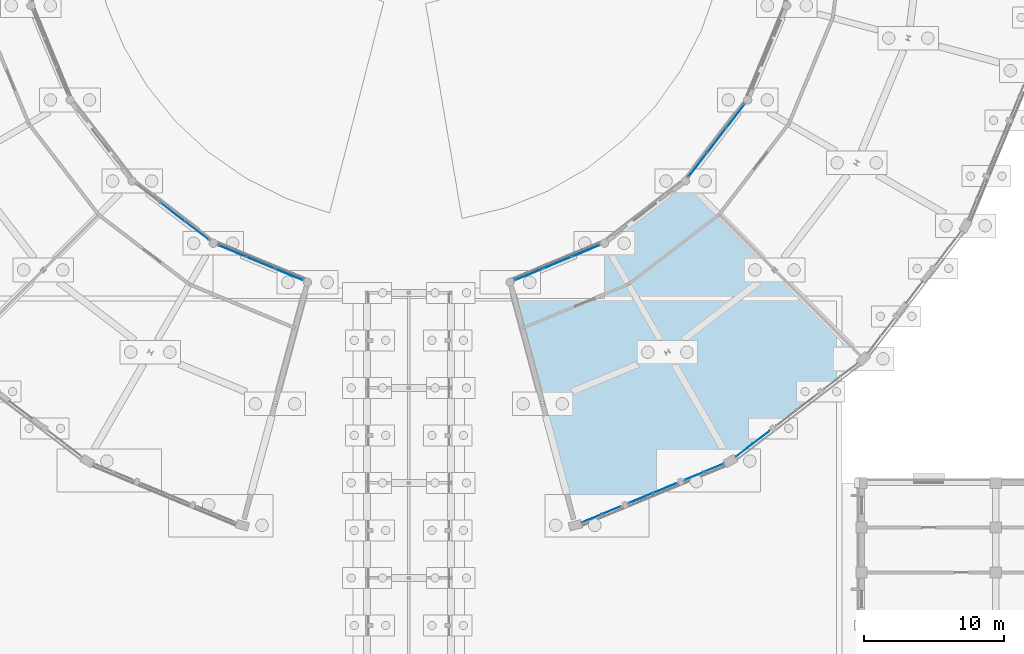
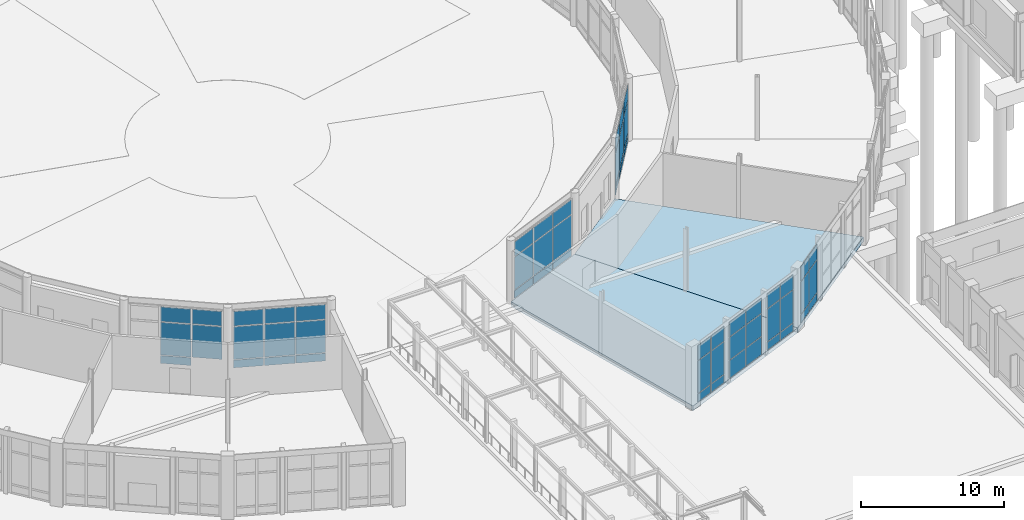
# One storey, part 87 of 137: 56 plates, 2 slabs, 8 elements without a shape of their own.
"""IFC4 building model written with IfcOpenShell, lengths in metres."""

import ifcopenshell
import ifcopenshell.guid

model = None  # the IFC model being written
_history = None  # IfcOwnerHistory: only IFC2X3 demands one
_inside = {}  # id of a spatial element -> (the spatial element, [elements in it])
_under = {}  # id of a project, library or spatial element -> (it, [spatial elements below it])
_declared = {}  # id of a project -> (the project, [libraries it declares])
_typed = {}  # id of a type object -> (the type object, [elements of that type])
_made_of = {}  # id of a material, layer set ... -> (it, [elements and type objects made of it])


def new_model(schema):
    """Start an empty IFC model of exactly this schema.

    Asked for "IFC4X3", IfcOpenShell would pick the latest addendum, in which some entities
    have other attributes; the version numbers below select the first issue.
    IFC2X3 requires an IfcOwnerHistory on every rooted entity: one is made here for all.
    """
    global model, _history
    if schema == "IFC4X3":
        model = ifcopenshell.file(schema_version=(4, 3, 0, 0))
    else:
        model = ifcopenshell.file(schema=schema)
    _inside.clear()
    _under.clear()
    _declared.clear()
    _typed.clear()
    _made_of.clear()
    _history = None
    if model.schema == "IFC2X3":
        org = make("IfcOrganization", Name="unknown")
        user = make(
            "IfcPersonAndOrganization",
            ThePerson=make("IfcPerson", FamilyName="unknown"),
            TheOrganization=org,
        )
        app = make(
            "IfcApplication",
            ApplicationDeveloper=org,
            Version="unknown",
            ApplicationFullName="unknown",
            ApplicationIdentifier="unknown",
        )
        _history = make(
            "IfcOwnerHistory",
            OwningUser=user,
            OwningApplication=app,
            ChangeAction="ADDED",
            CreationDate=0,
        )
    return model


def make(cls, **values):
    """One entity of the class cls with the attributes given. An attribute that is None is left unset."""
    return model.create_entity(
        cls, **{name: value for name, value in values.items() if value is not None}
    )


def rooted(cls, **values):
    """An entity with a GlobalId (a new one), such as an element, a storey or a relation."""
    return make(cls, GlobalId=ifcopenshell.guid.new(), OwnerHistory=_history, **values)


def si_unit(unit_type, name, prefix=None):
    """IfcSIUnit, for example si_unit("LENGTHUNIT", "METRE", prefix="MILLI")."""
    return make("IfcSIUnit", UnitType=unit_type, Prefix=prefix, Name=name)


def assignment(units):
    """IfcUnitAssignment: the units of a project."""
    return None if units is None else make("IfcUnitAssignment", Units=units)


def point(xyz):
    """IfcCartesianPoint."""
    return None if xyz is None else make("IfcCartesianPoint", Coordinates=xyz)


def direction(xyz):
    """IfcDirection."""
    return None if xyz is None else make("IfcDirection", DirectionRatios=xyz)


def frame(location, z_axis=None, x_axis=None):
    """IfcAxis2Placement3D, a coordinate frame: its origin and axes. An axis left out is left unset."""
    return make(
        "IfcAxis2Placement3D",
        Location=point(location),
        Axis=direction(z_axis),
        RefDirection=direction(x_axis),
    )


def frame_2d(location, x_axis=None):
    """IfcAxis2Placement2D, a coordinate frame in the plane: its origin and x axis."""
    return make(
        "IfcAxis2Placement2D", Location=point(location), RefDirection=direction(x_axis)
    )


def origin():
    """The frame at (0, 0, 0) with its axes left unset."""
    return frame((0.0, 0.0, 0.0))


def origin_2d():
    """The frame at (0, 0) in the plane with its x axis left unset."""
    return frame_2d((0.0, 0.0))


def place(relative_to, where):
    """IfcLocalPlacement: puts the frame where relative to a parent placement (None: the world)."""
    return make(
        "IfcLocalPlacement", PlacementRelTo=relative_to, RelativePlacement=where
    )


def context(
    kind, dimensions, precision=None, world=None, true_north=None, identifier=None
):
    """IfcGeometricRepresentationContext, for example the 3D "Model" context."""
    return make(
        "IfcGeometricRepresentationContext",
        ContextIdentifier=identifier,
        ContextType=kind,
        CoordinateSpaceDimension=dimensions,
        Precision=precision,
        WorldCoordinateSystem=world,
        TrueNorth=true_north,
    )


def subcontext(parent, identifier, kind, view, scale=None):
    """IfcGeometricRepresentationSubContext, for example "Body" below "Model"."""
    return make(
        "IfcGeometricRepresentationSubContext",
        ContextIdentifier=identifier,
        ContextType=kind,
        ParentContext=parent,
        TargetScale=scale,
        TargetView=view,
    )


def project(units=None, contexts=None):
    """IfcProject with its units and contexts."""
    return rooted(
        "IfcProject",
        Name="project",
        RepresentationContexts=contexts,
        UnitsInContext=assignment(units),
    )


def spatial(cls, under=None, at=None, **own):
    """A site, building, storey or space (cls), placed at a placement, below another one or the project."""
    s = rooted(cls, ObjectPlacement=at, **own)
    if under is not None:
        _under.setdefault(under.id(), (under, []))[1].append(s)
    return s


def polyline(points):
    """IfcPolyline through the points."""
    return make("IfcPolyline", Points=[point(p) for p in points])


def profile(cls, at=None, kind="AREA", **sizes):
    """A parametric profile (cls). Its sizes go by their IFC names, for example OverallWidth=200.0."""
    return make(cls, ProfileType=kind, Position=at, **sizes)


def rectangle(**sizes):
    """IfcRectangleProfileDef."""
    return profile("IfcRectangleProfileDef", **sizes)


def outline(outer, holes=None, kind="AREA"):
    """IfcArbitraryClosedProfileDef: a profile drawn as a closed curve; with holes, ...WithVoids."""
    if holes is None:
        return make("IfcArbitraryClosedProfileDef", ProfileType=kind, OuterCurve=outer)
    return make(
        "IfcArbitraryProfileDefWithVoids",
        ProfileType=kind,
        OuterCurve=outer,
        InnerCurves=holes,
    )


def extrude(swept, where, along, depth):
    """IfcExtrudedAreaSolid: the profile swept, set in the frame where, extruded along a direction by depth."""
    return make(
        "IfcExtrudedAreaSolid",
        SweptArea=swept,
        Position=where,
        ExtrudedDirection=direction(along),
        Depth=depth,
    )


def shape(context_of_items, identifier, shape_type, items):
    """IfcShapeRepresentation: the items that make up one representation, for example the "Body"."""
    return make(
        "IfcShapeRepresentation",
        ContextOfItems=context_of_items,
        RepresentationIdentifier=identifier,
        RepresentationType=shape_type,
        Items=items,
    )


def material(Name=None, Category=None):
    """IfcMaterial."""
    return make("IfcMaterial", Name=Name, Category=Category)


def layer(
    of_material, thickness, ventilated=None, Name=None, Category=None, Priority=None
):
    """IfcMaterialLayer: one layer of a wall or slab, of a material (None: an air gap)."""
    return make(
        "IfcMaterialLayer",
        Material=of_material,
        LayerThickness=thickness,
        IsVentilated=ventilated,
        Name=Name,
        Category=Category,
        Priority=Priority,
    )


def layer_set(layers, Name=None):
    """IfcMaterialLayerSet."""
    return make("IfcMaterialLayerSet", MaterialLayers=layers, LayerSetName=Name)


def made_of(thing, what):
    """Note that an element or type object is made of a material, layer set ...; save() writes the relation."""
    if what is not None:
        _made_of.setdefault(what.id(), (what, []))[1].append(thing)
    return thing


def type_object(cls, material=None, **own):
    """A type object (cls), such as IfcWallType, which elements share."""
    return made_of(rooted(cls, **own), material)


def element(
    cls,
    number,
    at=None,
    inside=None,
    cuts=None,
    type_object=None,
    material=None,
    context=None,
    identifier="Body",
    shape_type=None,
    held_by="IfcProductDefinitionShape",
    body=None,
    shapes=None,
    **own,
):
    """One element of the class cls, such as IfcWall. Its Tag is "e" and its number.

    at: its placement. inside: the storey or other place that contains it. cuts: it is an
    opening in that element (IfcRelVoidsElement). A single representation is given by context,
    identifier, shape_type and body (its items); several are given by shapes. held_by: the class
    of the entity that holds the representations. save() writes the other relations.
    """
    e = rooted(cls, Tag="e%d" % number, ObjectPlacement=at, **own)
    if body is not None:
        shapes = [shape(context, identifier, shape_type, body)]
    if shapes is not None:
        e.Representation = make(held_by, Representations=shapes)
    if inside is not None:
        _inside.setdefault(inside.id(), (inside, []))[1].append(e)
    if cuts is not None:
        rooted(
            "IfcRelVoidsElement", RelatingBuildingElement=cuts, RelatedOpeningElement=e
        )
    if type_object is not None:
        _typed.setdefault(type_object.id(), (type_object, []))[1].append(e)
    return made_of(e, material)


def aggregate(whole, parts):
    """IfcRelAggregates: a whole, such as a stair, and the parts it consists of."""
    return rooted("IfcRelAggregates", RelatingObject=whole, RelatedObjects=parts)


def save(model, path):
    """Write the relations noted so far, then the file.

    IfcRelAggregates (storeys below a building ...), IfcRelContainedInSpatialStructure (elements
    in a storey), IfcRelDefinesByType, IfcRelAssociatesMaterial and IfcRelDeclares: one each for
    every whole, place, type object, material and project.
    """
    for whole, parts in _under.values():
        aggregate(whole, parts)
    for where, things in _inside.values():
        rooted(
            "IfcRelContainedInSpatialStructure",
            RelatedElements=things,
            RelatingStructure=where,
        )
    for kind, things in _typed.values():
        rooted("IfcRelDefinesByType", RelatedObjects=things, RelatingType=kind)
    for what, things in _made_of.values():
        rooted("IfcRelAssociatesMaterial", RelatedObjects=things, RelatingMaterial=what)
    for by, libraries in _declared.values():
        rooted("IfcRelDeclares", RelatingContext=by, RelatedDefinitions=libraries)
    model.write(path)


model = new_model("IFC4")

# Units and contexts
model_context = context("Model", 3, precision=1e-05, world=origin(), true_north=direction((0.0, 1.0)))
body_context = subcontext(model_context, "Body", "Model", "MODEL_VIEW")
ifc_project = project(units=[si_unit("LENGTHUNIT", "METRE"), si_unit("AREAUNIT", "SQUARE_METRE"), si_unit("VOLUMEUNIT", "CUBIC_METRE"), si_unit("PLANEANGLEUNIT", "RADIAN"), si_unit("MASSUNIT", "GRAM", prefix="KILO")], contexts=[model_context])

# Site, building, storey
site_placement = place(None, origin())
site = spatial("IfcSite", under=ifc_project, at=site_placement, CompositionType="ELEMENT")
building_placement = place(site_placement, origin())
building = spatial("IfcBuilding", under=site, at=building_placement, Name="Vondelvale Polytechnic", CompositionType="ELEMENT")
storey_placement = place(building_placement, origin())
storey = spatial("IfcBuildingStorey", under=building, at=storey_placement, Name="L00", CompositionType="ELEMENT", Elevation=0.0)

# Curtain wall, plates
ifc_material_1 = material(Name="Anodised extruded aluminium 6063-T6", Category="aluminium")
curtain_wall_type_1 = type_object("IfcCurtainWallType", Name="CW-RING-CLOISTER", PredefinedType="NOTDEFINED", material=ifc_material_1)
curtain_wall_1_placement = place(storey_placement, origin())
curtain_wall_1 = element("IfcCurtainWall", 1, at=curtain_wall_1_placement, inside=storey, type_object=curtain_wall_type_1, Name="L00 architectural curtain wall CW-03-314", PredefinedType="NOTDEFINED")
ifc_material_2 = material(Name="Double-glazed low-E insulated architectural glass", Category="glass")
ifc_layer_1 = layer(ifc_material_2, 0.028076171875)
ifc_layer_set_1 = layer_set([ifc_layer_1], Name="CW-PANEL-GLAZED")
plate_type_1 = type_object("IfcPlateType", Name="CW-PANEL-GLAZED", PredefinedType="CURTAIN_PANEL", material=ifc_layer_set_1)
plate_1_placement = place(storey_placement, frame((85.1005859375, 49.97607421875, 0.78271484375), z_axis=(0.0, 0.0, 1.0), x_axis=(0.793363861089, -0.608747717793, 0.0)))
plate_1 = element("IfcPlate", 2, at=plate_1_placement, type_object=plate_type_1, Name="CW-03-314 panel 2.2", PredefinedType="CURTAIN_PANEL", context=body_context, shape_type="SweptSolid", body=[
    extrude(rectangle(XDim=2.1474609375, YDim=0.028076171875, at=origin_2d()), origin(), (0.0, 0.0, 1.0), 2.784912109375),
])
plate_2_placement = place(storey_placement, frame((85.1005859375, 49.97607421875, 3.632568359375), z_axis=(0.0, 0.0, 1.0), x_axis=(0.793363861089, -0.608747717793, 0.0)))
plate_2 = element("IfcPlate", 3, at=plate_2_placement, type_object=plate_type_1, Name="CW-03-314 panel 2.3", PredefinedType="CURTAIN_PANEL", context=body_context, shape_type="SweptSolid", body=[
    extrude(rectangle(XDim=2.1474609375, YDim=0.028076171875, at=origin_2d()), origin(), (0.0, 0.0, 1.0), 1.25244140625),
])
plate_3_placement = place(storey_placement, frame((86.845703125, 48.636962890625, 0.78271484375), z_axis=(0.0, 0.0, 1.0), x_axis=(0.793363861089, -0.608747717793, 0.0)))
plate_3 = element("IfcPlate", 4, at=plate_3_placement, type_object=plate_type_1, Name="CW-03-314 panel 3.2", PredefinedType="CURTAIN_PANEL", context=body_context, shape_type="SweptSolid", body=[
    extrude(rectangle(XDim=2.1123046875, YDim=0.028076171875, at=origin_2d()), origin(), (0.0, 0.0, 1.0), 2.784912109375),
])
plate_4_placement = place(storey_placement, frame((86.845703125, 48.636962890625, 3.632568359375), z_axis=(0.0, 0.0, 1.0), x_axis=(0.793363861089, -0.608747717793, 0.0)))
plate_4 = element("IfcPlate", 5, at=plate_4_placement, type_object=plate_type_1, Name="CW-03-314 panel 3.3", PredefinedType="CURTAIN_PANEL", context=body_context, shape_type="SweptSolid", body=[
    extrude(rectangle(XDim=2.1123046875, YDim=0.028076171875, at=origin_2d()), origin(), (0.0, 0.0, 1.0), 1.25244140625),
])

curtain_wall_2_placement = place(storey_placement, origin())
curtain_wall_2 = element("IfcCurtainWall", 6, at=curtain_wall_2_placement, inside=storey, type_object=curtain_wall_type_1, Name="L00 architectural curtain wall CW-03-325", PredefinedType="NOTDEFINED")
plate_5_placement = place(storey_placement, frame((89.344970703125, 47.194091796875, 0.78271484375), z_axis=(0.0, 0.0, 1.0), x_axis=(0.923881562419, -0.382678531697, 0.0)))
plate_5 = element("IfcPlate", 7, at=plate_5_placement, type_object=plate_type_1, Name="CW-03-325 panel 1.2", PredefinedType="CURTAIN_PANEL", context=body_context, shape_type="SweptSolid", body=[
    extrude(rectangle(XDim=2.111572265625, YDim=0.028076171875, at=origin_2d()), origin(), (0.0, 0.0, 1.0), 2.784912109375),
])
plate_6_placement = place(storey_placement, frame((89.344970703125, 47.194091796875, 3.632568359375), z_axis=(0.0, 0.0, 1.0), x_axis=(0.923881562419, -0.382678531697, 0.0)))
plate_6 = element("IfcPlate", 8, at=plate_6_placement, type_object=plate_type_1, Name="CW-03-325 panel 1.3", PredefinedType="CURTAIN_PANEL", context=body_context, shape_type="SweptSolid", body=[
    extrude(rectangle(XDim=2.111572265625, YDim=0.028076171875, at=origin_2d()), origin(), (0.0, 0.0, 1.0), 1.25244140625),
])
plate_7_placement = place(storey_placement, frame((91.37646484375, 46.352783203125, 0.78271484375), z_axis=(0.0, 0.0, 1.0), x_axis=(0.923881562419, -0.382678531697, 0.0)))
plate_7 = element("IfcPlate", 9, at=plate_7_placement, type_object=plate_type_1, Name="CW-03-325 panel 2.2", PredefinedType="CURTAIN_PANEL", context=body_context, shape_type="SweptSolid", body=[
    extrude(rectangle(XDim=2.146484375, YDim=0.028076171875, at=origin_2d()), origin(), (0.0, 0.0, 1.0), 2.784912109375),
])
plate_8_placement = place(storey_placement, frame((91.37646484375, 46.352783203125, 3.632568359375), z_axis=(0.0, 0.0, 1.0), x_axis=(0.923881562419, -0.382678531697, 0.0)))
plate_8 = element("IfcPlate", 10, at=plate_8_placement, type_object=plate_type_1, Name="CW-03-325 panel 2.3", PredefinedType="CURTAIN_PANEL", context=body_context, shape_type="SweptSolid", body=[
    extrude(rectangle(XDim=2.146484375, YDim=0.028076171875, at=origin_2d()), origin(), (0.0, 0.0, 1.0), 1.25244140625),
])
plate_9_placement = place(storey_placement, frame((93.408203125, 45.51123046875, 0.78271484375), z_axis=(0.0, 0.0, 1.0), x_axis=(0.923881562419, -0.382678531697, 0.0)))
plate_9 = element("IfcPlate", 11, at=plate_9_placement, type_object=plate_type_1, Name="CW-03-325 panel 3.2", PredefinedType="CURTAIN_PANEL", context=body_context, shape_type="SweptSolid", body=[
    extrude(rectangle(XDim=2.111572265625, YDim=0.028076171875, at=origin_2d()), origin(), (0.0, 0.0, 1.0), 2.784912109375),
])
plate_10_placement = place(storey_placement, frame((93.408203125, 45.51123046875, 3.632568359375), z_axis=(0.0, 0.0, 1.0), x_axis=(0.923881562419, -0.382678531697, 0.0)))
plate_10 = element("IfcPlate", 12, at=plate_10_placement, type_object=plate_type_1, Name="CW-03-325 panel 3.3", PredefinedType="CURTAIN_PANEL", context=body_context, shape_type="SweptSolid", body=[
    extrude(rectangle(XDim=2.111572265625, YDim=0.028076171875, at=origin_2d()), origin(), (0.0, 0.0, 1.0), 1.25244140625),
])

curtain_wall_3_placement = place(storey_placement, origin())
curtain_wall_3 = element("IfcCurtainWall", 13, at=curtain_wall_3_placement, inside=storey, type_object=curtain_wall_type_1, Name="L00 architectural curtain wall CW-03-333", PredefinedType="NOTDEFINED")
plate_11_placement = place(storey_placement, frame((110.591796875, 45.51123046875, 0.78271484375), z_axis=(0.0, 0.0, 1.0), x_axis=(0.923881562419, 0.382678531697, 0.0)))
plate_11 = element("IfcPlate", 14, at=plate_11_placement, type_object=plate_type_1, Name="CW-03-333 panel 1.2", PredefinedType="CURTAIN_PANEL", context=body_context, shape_type="SweptSolid", body=[
    extrude(rectangle(XDim=2.111572265625, YDim=0.028076171875, at=origin_2d()), origin(), (0.0, 0.0, 1.0), 2.784912109375),
])
plate_12_placement = place(storey_placement, frame((110.591796875, 45.51123046875, 3.632568359375), z_axis=(0.0, 0.0, 1.0), x_axis=(0.923881562419, 0.382678531697, 0.0)))
plate_12 = element("IfcPlate", 15, at=plate_12_placement, type_object=plate_type_1, Name="CW-03-333 panel 1.3", PredefinedType="CURTAIN_PANEL", context=body_context, shape_type="SweptSolid", body=[
    extrude(rectangle(XDim=2.111572265625, YDim=0.028076171875, at=origin_2d()), origin(), (0.0, 0.0, 1.0), 1.25244140625),
])
plate_13_placement = place(storey_placement, frame((112.62353515625, 46.352783203125, 0.78271484375), z_axis=(0.0, 0.0, 1.0), x_axis=(0.923881562419, 0.382678531697, 0.0)))
plate_13 = element("IfcPlate", 16, at=plate_13_placement, type_object=plate_type_1, Name="CW-03-333 panel 2.2", PredefinedType="CURTAIN_PANEL", context=body_context, shape_type="SweptSolid", body=[
    extrude(rectangle(XDim=2.146484375, YDim=0.028076171875, at=origin_2d()), origin(), (0.0, 0.0, 1.0), 2.784912109375),
])
plate_14_placement = place(storey_placement, frame((112.62353515625, 46.352783203125, 3.632568359375), z_axis=(0.0, 0.0, 1.0), x_axis=(0.923881562419, 0.382678531697, 0.0)))
plate_14 = element("IfcPlate", 17, at=plate_14_placement, type_object=plate_type_1, Name="CW-03-333 panel 2.3", PredefinedType="CURTAIN_PANEL", context=body_context, shape_type="SweptSolid", body=[
    extrude(rectangle(XDim=2.146484375, YDim=0.028076171875, at=origin_2d()), origin(), (0.0, 0.0, 1.0), 1.25244140625),
])
plate_15_placement = place(storey_placement, frame((114.655029296875, 47.194091796875, 0.78271484375), z_axis=(0.0, 0.0, 1.0), x_axis=(0.923881562419, 0.382678531697, 0.0)))
plate_15 = element("IfcPlate", 18, at=plate_15_placement, type_object=plate_type_1, Name="CW-03-333 panel 3.2", PredefinedType="CURTAIN_PANEL", context=body_context, shape_type="SweptSolid", body=[
    extrude(rectangle(XDim=2.111572265625, YDim=0.028076171875, at=origin_2d()), origin(), (0.0, 0.0, 1.0), 2.784912109375),
])
plate_16_placement = place(storey_placement, frame((114.655029296875, 47.194091796875, 3.632568359375), z_axis=(0.0, 0.0, 1.0), x_axis=(0.923881562419, 0.382678531697, 0.0)))
plate_16 = element("IfcPlate", 19, at=plate_16_placement, type_object=plate_type_1, Name="CW-03-333 panel 3.3", PredefinedType="CURTAIN_PANEL", context=body_context, shape_type="SweptSolid", body=[
    extrude(rectangle(XDim=2.111572265625, YDim=0.028076171875, at=origin_2d()), origin(), (0.0, 0.0, 1.0), 1.25244140625),
])

ifc_material_3 = material(Name="Glulam GL18 structural Tasmanian oak (fb = 42 MPa)", Category="wood")
curtain_wall_type_2 = type_object("IfcCurtainWallType", Name="CW-RING-OUTER", PredefinedType="NOTDEFINED", material=ifc_material_3)
curtain_wall_4_placement = place(storey_placement, origin())
curtain_wall_4 = element("IfcCurtainWall", 20, at=curtain_wall_4_placement, inside=storey, type_object=curtain_wall_type_2, Name="L00 architectural curtain wall CW-04-334", PredefinedType="NOTDEFINED")
plate_17_placement = place(storey_placement, frame((115.084716796875, 28.0556640625, 0.77978515625), z_axis=(0.0, 0.0, 1.0), x_axis=(0.92388135159, 0.382679040691, 0.0)))
plate_17 = element("IfcPlate", 21, at=plate_17_placement, type_object=plate_type_1, Name="CW-04-334 panel 1.2", PredefinedType="CURTAIN_PANEL", context=body_context, shape_type="SweptSolid", body=[
    extrude(rectangle(XDim=1.454345703125, YDim=0.028076171875, at=origin_2d()), origin(), (0.0, 0.0, 1.0), 2.760009765625),
])
plate_18_placement = place(storey_placement, frame((115.084716796875, 28.0556640625, 3.60009765625), z_axis=(0.0, 0.0, 1.0), x_axis=(0.92388135159, 0.382679040691, 0.0)))
plate_18 = element("IfcPlate", 22, at=plate_18_placement, type_object=plate_type_1, Name="CW-04-334 panel 1.3", PredefinedType="CURTAIN_PANEL", context=body_context, shape_type="SweptSolid", body=[
    extrude(rectangle(XDim=1.454345703125, YDim=0.028076171875, at=origin_2d()), origin(), (0.0, 0.0, 1.0), 1.260009765625),
])
plate_19_placement = place(storey_placement, frame((116.488525390625, 28.63720703125, 0.77978515625), z_axis=(0.0, 0.0, 1.0), x_axis=(0.92388135159, 0.382679040691, 0.0)))
plate_19 = element("IfcPlate", 23, at=plate_19_placement, type_object=plate_type_1, Name="CW-04-334 panel 2.2", PredefinedType="CURTAIN_PANEL", context=body_context, shape_type="SweptSolid", body=[
    extrude(rectangle(XDim=1.454345703125, YDim=0.028076171875, at=origin_2d()), origin(), (0.0, 0.0, 1.0), 2.760009765625),
])
plate_20_placement = place(storey_placement, frame((116.488525390625, 28.63720703125, 3.60009765625), z_axis=(0.0, 0.0, 1.0), x_axis=(0.92388135159, 0.382679040691, 0.0)))
plate_20 = element("IfcPlate", 24, at=plate_20_placement, type_object=plate_type_1, Name="CW-04-334 panel 2.3", PredefinedType="CURTAIN_PANEL", context=body_context, shape_type="SweptSolid", body=[
    extrude(rectangle(XDim=1.454345703125, YDim=0.028076171875, at=origin_2d()), origin(), (0.0, 0.0, 1.0), 1.260009765625),
])

curtain_wall_5_placement = place(storey_placement, origin())
curtain_wall_5 = element("IfcCurtainWall", 25, at=curtain_wall_5_placement, inside=storey, type_object=curtain_wall_type_2, Name="L00 architectural curtain wall CW-04-335", PredefinedType="NOTDEFINED")
plate_21_placement = place(storey_placement, frame((118.587158203125, 29.506591796875, 1.6298828125), z_axis=(0.0, 0.0, 1.0), x_axis=(0.92387490701, 0.382694599123, 0.0)))
plate_21 = element("IfcPlate", 26, at=plate_21_placement, type_object=plate_type_1, Name="CW-04-335 panel 1.2", PredefinedType="CURTAIN_PANEL", context=body_context, shape_type="SweptSolid", body=[
    extrude(rectangle(XDim=1.80908203125, YDim=0.028076171875, at=origin_2d()), origin(), (0.0, 0.0, 1.0), 1.909912109375),
])
plate_22_placement = place(storey_placement, frame((118.587158203125, 29.506591796875, 3.60009765625), z_axis=(0.0, 0.0, 1.0), x_axis=(0.92387490701, 0.382694599123, 0.0)))
plate_22 = element("IfcPlate", 27, at=plate_22_placement, type_object=plate_type_1, Name="CW-04-335 panel 1.3", PredefinedType="CURTAIN_PANEL", context=body_context, shape_type="SweptSolid", body=[
    extrude(rectangle(XDim=1.80908203125, YDim=0.028076171875, at=origin_2d()), origin(), (0.0, 0.0, 1.0), 1.260009765625),
])
plate_23_placement = place(storey_placement, frame((120.318603515625, 30.2236328125, 1.6298828125), z_axis=(0.0, 0.0, 1.0), x_axis=(0.92387490701, 0.382694599123, 0.0)))
plate_23 = element("IfcPlate", 28, at=plate_23_placement, type_object=plate_type_1, Name="CW-04-335 panel 2.2", PredefinedType="CURTAIN_PANEL", context=body_context, shape_type="SweptSolid", body=[
    extrude(rectangle(XDim=1.80908203125, YDim=0.028076171875, at=origin_2d()), origin(), (0.0, 0.0, 1.0), 1.909912109375),
])
plate_24_placement = place(storey_placement, frame((120.318603515625, 30.2236328125, 3.60009765625), z_axis=(0.0, 0.0, 1.0), x_axis=(0.92387490701, 0.382694599123, 0.0)))
plate_24 = element("IfcPlate", 29, at=plate_24_placement, type_object=plate_type_1, Name="CW-04-335 panel 2.3", PredefinedType="CURTAIN_PANEL", context=body_context, shape_type="SweptSolid", body=[
    extrude(rectangle(XDim=1.80908203125, YDim=0.028076171875, at=origin_2d()), origin(), (0.0, 0.0, 1.0), 1.260009765625),
])

curtain_wall_6_placement = place(storey_placement, origin())
curtain_wall_6 = element("IfcCurtainWall", 30, at=curtain_wall_6_placement, inside=storey, type_object=curtain_wall_type_2, Name="L00 architectural curtain wall CW-04-336", PredefinedType="NOTDEFINED")
plate_25_placement = place(storey_placement, frame((122.417236328125, 31.093017578125, 0.77978515625), z_axis=(0.0, 0.0, 1.0), x_axis=(0.92388135159, 0.382679040691, 0.0)))
plate_25 = element("IfcPlate", 31, at=plate_25_placement, type_object=plate_type_1, Name="CW-04-336 panel 1.2", PredefinedType="CURTAIN_PANEL", context=body_context, shape_type="SweptSolid", body=[
    extrude(rectangle(XDim=1.454345703125, YDim=0.028076171875, at=origin_2d()), origin(), (0.0, 0.0, 1.0), 2.760009765625),
])
plate_26_placement = place(storey_placement, frame((122.417236328125, 31.093017578125, 3.60009765625), z_axis=(0.0, 0.0, 1.0), x_axis=(0.92388135159, 0.382679040691, 0.0)))
plate_26 = element("IfcPlate", 32, at=plate_26_placement, type_object=plate_type_1, Name="CW-04-336 panel 1.3", PredefinedType="CURTAIN_PANEL", context=body_context, shape_type="SweptSolid", body=[
    extrude(rectangle(XDim=1.454345703125, YDim=0.028076171875, at=origin_2d()), origin(), (0.0, 0.0, 1.0), 1.260009765625),
])
plate_27_placement = place(storey_placement, frame((123.821044921875, 31.674560546875, 0.77978515625), z_axis=(0.0, 0.0, 1.0), x_axis=(0.92388135159, 0.382679040691, 0.0)))
plate_27 = element("IfcPlate", 33, at=plate_27_placement, type_object=plate_type_1, Name="CW-04-336 panel 2.2", PredefinedType="CURTAIN_PANEL", context=body_context, shape_type="SweptSolid", body=[
    extrude(rectangle(XDim=1.454345703125, YDim=0.028076171875, at=origin_2d()), origin(), (0.0, 0.0, 1.0), 2.760009765625),
])
plate_28_placement = place(storey_placement, frame((123.821044921875, 31.674560546875, 3.60009765625), z_axis=(0.0, 0.0, 1.0), x_axis=(0.92388135159, 0.382679040691, 0.0)))
plate_28 = element("IfcPlate", 34, at=plate_28_placement, type_object=plate_type_1, Name="CW-04-336 panel 2.3", PredefinedType="CURTAIN_PANEL", context=body_context, shape_type="SweptSolid", body=[
    extrude(rectangle(XDim=1.454345703125, YDim=0.028076171875, at=origin_2d()), origin(), (0.0, 0.0, 1.0), 1.260009765625),
])

curtain_wall_7_placement = place(storey_placement, origin())
curtain_wall_7 = element("IfcCurtainWall", 35, at=curtain_wall_7_placement, inside=storey, type_object=curtain_wall_type_2, Name="L00 architectural curtain wall CW-04-341", PredefinedType="NOTDEFINED")
plate_29_placement = place(storey_placement, frame((126.012451171875, 32.939697265625, 0.77978515625), z_axis=(0.0, 0.0, 1.0), x_axis=(0.793351666305, 0.608763610584, 0.0)))
plate_29 = element("IfcPlate", 36, at=plate_29_placement, type_object=plate_type_1, Name="CW-04-341 panel 1.2", PredefinedType="CURTAIN_PANEL", context=body_context, shape_type="SweptSolid", body=[
    extrude(rectangle(XDim=1.454345703125, YDim=0.028076171875, at=origin_2d()), origin(), (0.0, 0.0, 1.0), 2.760009765625),
])
plate_30_placement = place(storey_placement, frame((126.012451171875, 32.939697265625, 3.60009765625), z_axis=(0.0, 0.0, 1.0), x_axis=(0.793351666305, 0.608763610584, 0.0)))
plate_30 = element("IfcPlate", 37, at=plate_30_placement, type_object=plate_type_1, Name="CW-04-341 panel 1.3", PredefinedType="CURTAIN_PANEL", context=body_context, shape_type="SweptSolid", body=[
    extrude(rectangle(XDim=1.454345703125, YDim=0.028076171875, at=origin_2d()), origin(), (0.0, 0.0, 1.0), 1.260009765625),
])
plate_31_placement = place(storey_placement, frame((127.2177734375, 33.86474609375, 0.77978515625), z_axis=(0.0, 0.0, 1.0), x_axis=(0.793351666305, 0.608763610584, 0.0)))
plate_31 = element("IfcPlate", 38, at=plate_31_placement, type_object=plate_type_1, Name="CW-04-341 panel 2.2", PredefinedType="CURTAIN_PANEL", context=body_context, shape_type="SweptSolid", body=[
    extrude(rectangle(XDim=1.454345703125, YDim=0.028076171875, at=origin_2d()), origin(), (0.0, 0.0, 1.0), 2.760009765625),
])
plate_32_placement = place(storey_placement, frame((127.2177734375, 33.86474609375, 3.60009765625), z_axis=(0.0, 0.0, 1.0), x_axis=(0.793351666305, 0.608763610584, 0.0)))
plate_32 = element("IfcPlate", 39, at=plate_32_placement, type_object=plate_type_1, Name="CW-04-341 panel 2.3", PredefinedType="CURTAIN_PANEL", context=body_context, shape_type="SweptSolid", body=[
    extrude(rectangle(XDim=1.454345703125, YDim=0.028076171875, at=origin_2d()), origin(), (0.0, 0.0, 1.0), 1.260009765625),
])

curtain_wall_8_placement = place(storey_placement, origin())
curtain_wall_8 = element("IfcCurtainWall", 40, at=curtain_wall_8_placement, inside=storey, type_object=curtain_wall_type_1, Name="L00 architectural curtain wall CW-03-348", PredefinedType="NOTDEFINED")
plate_33_placement = place(storey_placement, frame((122.6845703125, 53.355224609375, 0.78271484375), z_axis=(0.0, 0.0, 1.0), x_axis=(0.608747717793, 0.793363861089, 0.0)))
plate_33 = element("IfcPlate", 41, at=plate_33_placement, type_object=plate_type_1, Name="CW-03-348 panel 1.2", PredefinedType="CURTAIN_PANEL", context=body_context, shape_type="SweptSolid", body=[
    extrude(rectangle(XDim=2.1123046875, YDim=0.028076171875, at=origin_2d()), origin(), (0.0, 0.0, 1.0), 2.784912109375),
])
plate_34_placement = place(storey_placement, frame((122.6845703125, 53.355224609375, 3.632568359375), z_axis=(0.0, 0.0, 1.0), x_axis=(0.608747717793, 0.793363861089, 0.0)))
plate_34 = element("IfcPlate", 42, at=plate_34_placement, type_object=plate_type_1, Name="CW-03-348 panel 1.3", PredefinedType="CURTAIN_PANEL", context=body_context, shape_type="SweptSolid", body=[
    extrude(rectangle(XDim=2.1123046875, YDim=0.028076171875, at=origin_2d()), origin(), (0.0, 0.0, 1.0), 1.25244140625),
])
plate_35_placement = place(storey_placement, frame((124.02392578125, 55.1005859375, 0.78271484375), z_axis=(0.0, 0.0, 1.0), x_axis=(0.608747717793, 0.793363861089, 0.0)))
plate_35 = element("IfcPlate", 43, at=plate_35_placement, type_object=plate_type_1, Name="CW-03-348 panel 2.2", PredefinedType="CURTAIN_PANEL", context=body_context, shape_type="SweptSolid", body=[
    extrude(rectangle(XDim=2.1474609375, YDim=0.028076171875, at=origin_2d()), origin(), (0.0, 0.0, 1.0), 2.784912109375),
])
plate_36_placement = place(storey_placement, frame((124.02392578125, 55.1005859375, 3.632568359375), z_axis=(0.0, 0.0, 1.0), x_axis=(0.608747717793, 0.793363861089, 0.0)))
plate_36 = element("IfcPlate", 44, at=plate_36_placement, type_object=plate_type_1, Name="CW-03-348 panel 2.3", PredefinedType="CURTAIN_PANEL", context=body_context, shape_type="SweptSolid", body=[
    extrude(rectangle(XDim=2.1474609375, YDim=0.028076171875, at=origin_2d()), origin(), (0.0, 0.0, 1.0), 1.25244140625),
])
plate_37_placement = place(storey_placement, frame((125.363037109375, 56.845703125, 0.78271484375), z_axis=(0.0, 0.0, 1.0), x_axis=(0.608747717793, 0.793363861089, 0.0)))
plate_37 = element("IfcPlate", 45, at=plate_37_placement, type_object=plate_type_1, Name="CW-03-348 panel 3.2", PredefinedType="CURTAIN_PANEL", context=body_context, shape_type="SweptSolid", body=[
    extrude(rectangle(XDim=2.1123046875, YDim=0.028076171875, at=origin_2d()), origin(), (0.0, 0.0, 1.0), 2.784912109375),
])
plate_38_placement = place(storey_placement, frame((125.363037109375, 56.845703125, 3.632568359375), z_axis=(0.0, 0.0, 1.0), x_axis=(0.608747717793, 0.793363861089, 0.0)))
plate_38 = element("IfcPlate", 46, at=plate_38_placement, type_object=plate_type_1, Name="CW-03-348 panel 3.3", PredefinedType="CURTAIN_PANEL", context=body_context, shape_type="SweptSolid", body=[
    extrude(rectangle(XDim=2.1123046875, YDim=0.028076171875, at=origin_2d()), origin(), (0.0, 0.0, 1.0), 1.25244140625),
])

# Plate
ifc_material_4 = material(Name="Engineered Tasmanian oak studio and bridge joinery")
ifc_layer_2 = layer(ifc_material_4, 0.0419921875)
ifc_layer_set_2 = layer_set([ifc_layer_2], Name="CW-PANEL-OAK")
plate_type_2 = type_object("IfcPlateType", Name="CW-PANEL-OAK", PredefinedType="CURTAIN_PANEL", material=ifc_layer_set_2)
plate_39_placement = place(storey_placement, frame((85.1005859375, 49.97607421875, 0.06494140625), z_axis=(0.0, 0.0, 1.0), x_axis=(0.793363861089, -0.608747717793, 0.0)))
plate_39 = element("IfcPlate", 47, at=plate_39_placement, type_object=plate_type_2, Name="CW-03-314 panel 2.1", PredefinedType="CURTAIN_PANEL", context=body_context, shape_type="SweptSolid", body=[
    extrude(rectangle(XDim=2.1474609375, YDim=0.0419921875, at=origin_2d()), origin(), (0.0, 0.0, 1.0), 0.652587890625),
])

aggregate(curtain_wall_1, [plate_39, plate_1, plate_2, plate_3, plate_4])

plate_40_placement = place(storey_placement, frame((89.344970703125, 47.194091796875, 0.06494140625), z_axis=(0.0, 0.0, 1.0), x_axis=(0.923881562419, -0.382678531697, 0.0)))
plate_40 = element("IfcPlate", 48, at=plate_40_placement, type_object=plate_type_2, Name="CW-03-325 panel 1.1", PredefinedType="CURTAIN_PANEL", context=body_context, shape_type="SweptSolid", body=[
    extrude(rectangle(XDim=2.111572265625, YDim=0.0419921875, at=origin_2d()), origin(), (0.0, 0.0, 1.0), 0.652587890625),
])

plate_41_placement = place(storey_placement, frame((91.37646484375, 46.352783203125, 0.06494140625), z_axis=(0.0, 0.0, 1.0), x_axis=(0.923881562419, -0.382678531697, 0.0)))
plate_41 = element("IfcPlate", 49, at=plate_41_placement, type_object=plate_type_2, Name="CW-03-325 panel 2.1", PredefinedType="CURTAIN_PANEL", context=body_context, shape_type="SweptSolid", body=[
    extrude(rectangle(XDim=2.146484375, YDim=0.0419921875, at=origin_2d()), origin(), (0.0, 0.0, 1.0), 0.652587890625),
])

plate_42_placement = place(storey_placement, frame((93.408203125, 45.51123046875, 0.06494140625), z_axis=(0.0, 0.0, 1.0), x_axis=(0.923881562419, -0.382678531697, 0.0)))
plate_42 = element("IfcPlate", 50, at=plate_42_placement, type_object=plate_type_2, Name="CW-03-325 panel 3.1", PredefinedType="CURTAIN_PANEL", context=body_context, shape_type="SweptSolid", body=[
    extrude(rectangle(XDim=2.111572265625, YDim=0.0419921875, at=origin_2d()), origin(), (0.0, 0.0, 1.0), 0.652587890625),
])

aggregate(curtain_wall_2, [plate_40, plate_5, plate_6, plate_41, plate_7, plate_8, plate_42, plate_9, plate_10])

plate_43_placement = place(storey_placement, frame((110.591796875, 45.51123046875, 0.06494140625), z_axis=(0.0, 0.0, 1.0), x_axis=(0.923881562419, 0.382678531697, 0.0)))
plate_43 = element("IfcPlate", 51, at=plate_43_placement, type_object=plate_type_2, Name="CW-03-333 panel 1.1", PredefinedType="CURTAIN_PANEL", context=body_context, shape_type="SweptSolid", body=[
    extrude(rectangle(XDim=2.111572265625, YDim=0.0419921875, at=origin_2d()), origin(), (0.0, 0.0, 1.0), 0.652587890625),
])

plate_44_placement = place(storey_placement, frame((112.62353515625, 46.352783203125, 0.06494140625), z_axis=(0.0, 0.0, 1.0), x_axis=(0.923881562419, 0.382678531697, 0.0)))
plate_44 = element("IfcPlate", 52, at=plate_44_placement, type_object=plate_type_2, Name="CW-03-333 panel 2.1", PredefinedType="CURTAIN_PANEL", context=body_context, shape_type="SweptSolid", body=[
    extrude(rectangle(XDim=2.146484375, YDim=0.0419921875, at=origin_2d()), origin(), (0.0, 0.0, 1.0), 0.652587890625),
])

plate_45_placement = place(storey_placement, frame((114.655029296875, 47.194091796875, 0.06494140625), z_axis=(0.0, 0.0, 1.0), x_axis=(0.923881562419, 0.382678531697, 0.0)))
plate_45 = element("IfcPlate", 53, at=plate_45_placement, type_object=plate_type_2, Name="CW-03-333 panel 3.1", PredefinedType="CURTAIN_PANEL", context=body_context, shape_type="SweptSolid", body=[
    extrude(rectangle(XDim=2.111572265625, YDim=0.0419921875, at=origin_2d()), origin(), (0.0, 0.0, 1.0), 0.652587890625),
])

aggregate(curtain_wall_3, [plate_43, plate_11, plate_12, plate_44, plate_13, plate_14, plate_45, plate_15, plate_16])

plate_46_placement = place(storey_placement, frame((118.587158203125, 29.506591796875, 0.06005859375), z_axis=(0.0, 0.0, 1.0), x_axis=(0.92387490701, 0.382694599123, 0.0)))
plate_46 = element("IfcPlate", 54, at=plate_46_placement, type_object=plate_type_2, Name="CW-04-335 panel 1.1", PredefinedType="CURTAIN_PANEL", context=body_context, shape_type="SweptSolid", body=[
    extrude(rectangle(XDim=1.80908203125, YDim=0.0419921875, at=origin_2d()), origin(), (0.0, 0.0, 1.0), 1.510009765625),
])

plate_47_placement = place(storey_placement, frame((120.318603515625, 30.2236328125, 0.06005859375), z_axis=(0.0, 0.0, 1.0), x_axis=(0.92387490701, 0.382694599123, 0.0)))
plate_47 = element("IfcPlate", 55, at=plate_47_placement, type_object=plate_type_2, Name="CW-04-335 panel 2.1", PredefinedType="CURTAIN_PANEL", context=body_context, shape_type="SweptSolid", body=[
    extrude(rectangle(XDim=1.80908203125, YDim=0.0419921875, at=origin_2d()), origin(), (0.0, 0.0, 1.0), 1.510009765625),
])

aggregate(curtain_wall_5, [plate_46, plate_21, plate_22, plate_47, plate_23, plate_24])

plate_48_placement = place(storey_placement, frame((122.6845703125, 53.355224609375, 0.06494140625), z_axis=(0.0, 0.0, 1.0), x_axis=(0.608747717793, 0.793363861089, 0.0)))
plate_48 = element("IfcPlate", 56, at=plate_48_placement, type_object=plate_type_2, Name="CW-03-348 panel 1.1", PredefinedType="CURTAIN_PANEL", context=body_context, shape_type="SweptSolid", body=[
    extrude(rectangle(XDim=2.1123046875, YDim=0.0419921875, at=origin_2d()), origin(), (0.0, 0.0, 1.0), 0.652587890625),
])

plate_49_placement = place(storey_placement, frame((124.02392578125, 55.1005859375, 0.06494140625), z_axis=(0.0, 0.0, 1.0), x_axis=(0.608747717793, 0.793363861089, 0.0)))
plate_49 = element("IfcPlate", 57, at=plate_49_placement, type_object=plate_type_2, Name="CW-03-348 panel 2.1", PredefinedType="CURTAIN_PANEL", context=body_context, shape_type="SweptSolid", body=[
    extrude(rectangle(XDim=2.1474609375, YDim=0.0419921875, at=origin_2d()), origin(), (0.0, 0.0, 1.0), 0.652587890625),
])

plate_50_placement = place(storey_placement, frame((125.363037109375, 56.845703125, 0.06494140625), z_axis=(0.0, 0.0, 1.0), x_axis=(0.608747717793, 0.793363861089, 0.0)))
plate_50 = element("IfcPlate", 58, at=plate_50_placement, type_object=plate_type_2, Name="CW-03-348 panel 3.1", PredefinedType="CURTAIN_PANEL", context=body_context, shape_type="SweptSolid", body=[
    extrude(rectangle(XDim=2.1123046875, YDim=0.0419921875, at=origin_2d()), origin(), (0.0, 0.0, 1.0), 0.652587890625),
])

aggregate(curtain_wall_8, [plate_48, plate_33, plate_34, plate_49, plate_35, plate_36, plate_50, plate_37, plate_38])

ifc_material_5 = material(Name="Kiln-fired architectural terracotta", Category="masonry")
ifc_layer_3 = layer(ifc_material_5, 0.035888671875)
ifc_layer_set_3 = layer_set([ifc_layer_3], Name="CW-PANEL-SPANDREL")
plate_type_3 = type_object("IfcPlateType", Name="CW-PANEL-SPANDREL", PredefinedType="CURTAIN_PANEL", material=ifc_layer_set_3)
plate_51_placement = place(storey_placement, frame((115.084716796875, 28.0556640625, 0.06005859375), z_axis=(0.0, 0.0, 1.0), x_axis=(0.92388135159, 0.382679040691, 0.0)))
plate_51 = element("IfcPlate", 59, at=plate_51_placement, type_object=plate_type_3, Name="CW-04-334 panel 1.1", PredefinedType="CURTAIN_PANEL", context=body_context, shape_type="SweptSolid", body=[
    extrude(rectangle(XDim=1.454345703125, YDim=0.035888671875, at=origin_2d()), origin(), (0.0, 0.0, 1.0), 0.659912109375),
])

plate_52_placement = place(storey_placement, frame((116.488525390625, 28.63720703125, 0.06005859375), z_axis=(0.0, 0.0, 1.0), x_axis=(0.92388135159, 0.382679040691, 0.0)))
plate_52 = element("IfcPlate", 60, at=plate_52_placement, type_object=plate_type_3, Name="CW-04-334 panel 2.1", PredefinedType="CURTAIN_PANEL", context=body_context, shape_type="SweptSolid", body=[
    extrude(rectangle(XDim=1.454345703125, YDim=0.035888671875, at=origin_2d()), origin(), (0.0, 0.0, 1.0), 0.659912109375),
])

aggregate(curtain_wall_4, [plate_51, plate_17, plate_18, plate_52, plate_19, plate_20])

plate_53_placement = place(storey_placement, frame((122.417236328125, 31.093017578125, 0.06005859375), z_axis=(0.0, 0.0, 1.0), x_axis=(0.92388135159, 0.382679040691, 0.0)))
plate_53 = element("IfcPlate", 61, at=plate_53_placement, type_object=plate_type_3, Name="CW-04-336 panel 1.1", PredefinedType="CURTAIN_PANEL", context=body_context, shape_type="SweptSolid", body=[
    extrude(rectangle(XDim=1.454345703125, YDim=0.035888671875, at=origin_2d()), origin(), (0.0, 0.0, 1.0), 0.659912109375),
])

plate_54_placement = place(storey_placement, frame((123.821044921875, 31.674560546875, 0.06005859375), z_axis=(0.0, 0.0, 1.0), x_axis=(0.92388135159, 0.382679040691, 0.0)))
plate_54 = element("IfcPlate", 62, at=plate_54_placement, type_object=plate_type_3, Name="CW-04-336 panel 2.1", PredefinedType="CURTAIN_PANEL", context=body_context, shape_type="SweptSolid", body=[
    extrude(rectangle(XDim=1.454345703125, YDim=0.035888671875, at=origin_2d()), origin(), (0.0, 0.0, 1.0), 0.659912109375),
])

aggregate(curtain_wall_6, [plate_53, plate_25, plate_26, plate_54, plate_27, plate_28])

plate_55_placement = place(storey_placement, frame((126.012451171875, 32.939697265625, 0.06005859375), z_axis=(0.0, 0.0, 1.0), x_axis=(0.793351666305, 0.608763610584, 0.0)))
plate_55 = element("IfcPlate", 63, at=plate_55_placement, type_object=plate_type_3, Name="CW-04-341 panel 1.1", PredefinedType="CURTAIN_PANEL", context=body_context, shape_type="SweptSolid", body=[
    extrude(rectangle(XDim=1.454345703125, YDim=0.035888671875, at=origin_2d()), origin(), (0.0, 0.0, 1.0), 0.659912109375),
])

plate_56_placement = place(storey_placement, frame((127.2177734375, 33.86474609375, 0.06005859375), z_axis=(0.0, 0.0, 1.0), x_axis=(0.793351666305, 0.608763610584, 0.0)))
plate_56 = element("IfcPlate", 64, at=plate_56_placement, type_object=plate_type_3, Name="CW-04-341 panel 2.1", PredefinedType="CURTAIN_PANEL", context=body_context, shape_type="SweptSolid", body=[
    extrude(rectangle(XDim=1.454345703125, YDim=0.035888671875, at=origin_2d()), origin(), (0.0, 0.0, 1.0), 0.659912109375),
])

aggregate(curtain_wall_7, [plate_55, plate_29, plate_30, plate_56, plate_31, plate_32])

# Slabs
ifc_material_6 = material(Name="Concrete N40 (f'c = 40 MPa)", Category="concrete")
ifc_layer_4 = layer(ifc_material_6, 0.39990234375)
ifc_layer_set_4 = layer_set([ifc_layer_4], Name="SLB-BASE-400")
slab_type = type_object("IfcSlabType", Name="SLB-BASE-400", PredefinedType="BASESLAB", material=ifc_layer_set_4)
slab_1_placement = place(storey_placement, frame((0.0, 0.0, -0.39990234375)))
element("IfcSlab", 65, at=slab_1_placement, inside=storey, type_object=slab_type, Name="L00 circular ring sector 19 floor slab", PredefinedType="BASESLAB", context=body_context, shape_type="SweptSolid", body=[
    extrude(outline(polyline([(109.246826171875, 44.9541015625), (113.90576171875, 27.5673828125), (125.0, 32.162841796875), (116.0, 47.751220703125), (109.246826171875, 44.9541015625)])), origin(), (0.0, 0.0, 1.0), 0.39990234375),
])
slab_2_placement = place(storey_placement, frame((0.0, 0.0, -0.39990234375)))
element("IfcSlab", 66, at=slab_2_placement, inside=storey, type_object=slab_type, Name="L00 circular ring sector 20 floor slab", PredefinedType="BASESLAB", context=body_context, shape_type="SweptSolid", body=[
    extrude(outline(polyline([(116.0, 47.751220703125), (125.0, 32.162841796875), (134.52685546875, 39.47314453125), (121.799072265625, 52.200927734375), (116.0, 47.751220703125)])), origin(), (0.0, 0.0, 1.0), 0.39990234375),
])

save(model, "model.ifc")
